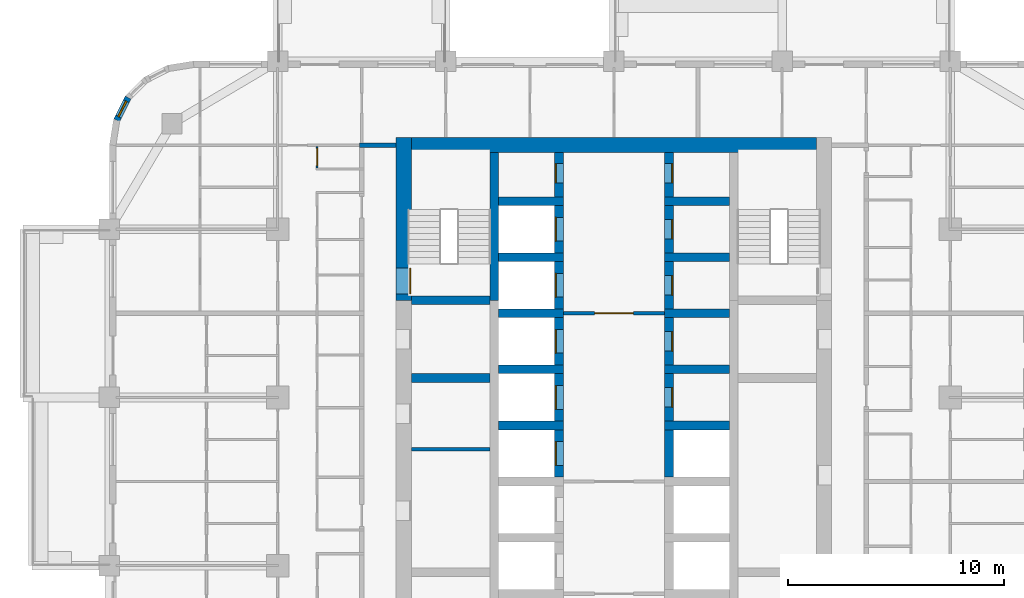
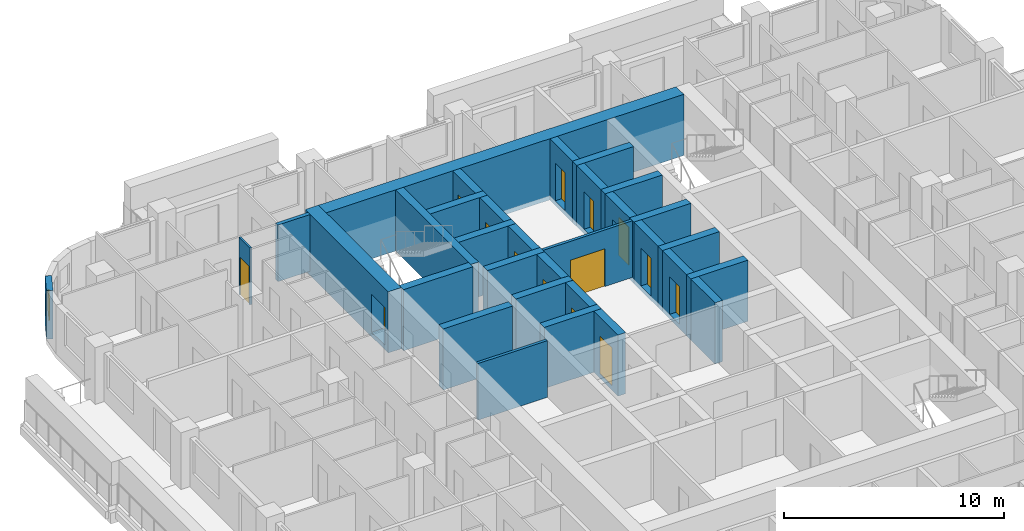
# One storey, part 11 of 18: 32 walls, 14 doors, 1 window, 15 openings.
"""IFC4 building model written with IfcOpenShell, lengths in metres."""

from ifc_helpers import new_model, si_unit, direction, frame, frame_2d, origin, place, context, subcontext, project, spatial, rectangle, extrude, material, layer, layer_set, type_object, element, fill, save


model = new_model("IFC4")

# Units and contexts
model_context = context("Model", 3, precision=1e-05, world=origin(), true_north=direction((0.0, 1.0)))
body_context = subcontext(model_context, "Body", "Model", "MODEL_VIEW")
ifc_project = project(units=[si_unit("LENGTHUNIT", "METRE"), si_unit("AREAUNIT", "SQUARE_METRE"), si_unit("VOLUMEUNIT", "CUBIC_METRE"), si_unit("PLANEANGLEUNIT", "RADIAN"), si_unit("MASSUNIT", "GRAM", prefix="KILO")], contexts=[model_context])

# Site, building, storey
site_placement = place(None, origin())
site = spatial("IfcSite", under=ifc_project, at=site_placement, CompositionType="ELEMENT")
building_placement = place(site_placement, origin())
building = spatial("IfcBuilding", under=site, at=building_placement, Name="Ludao Terraces", CompositionType="ELEMENT")
storey_placement = place(building_placement, frame((0.0, 0.0, 75.0)))
storey = spatial("IfcBuildingStorey", under=building, at=storey_placement, Name="L20", CompositionType="ELEMENT", Elevation=75.0)

# Wall, opening, door
ifc_material_1 = material(Name="Concrete C70", Category="concrete")
ifc_layer_1 = layer(ifc_material_1, 0.699951171875)
ifc_layer_set_1 = layer_set([ifc_layer_1], Name="Core wall 700 C70")
wall_type_1 = type_object("IfcWallType", Name="Core wall 700 C70", PredefinedType="SOLIDWALL", material=ifc_layer_set_1)
wall_1_placement = place(storey_placement, frame((75.25, 77.300048828125, -0.25), z_axis=(0.0, 0.0, 1.0), x_axis=(0.0, 1.0, 0.0)))
wall_1 = element("IfcWall", 1, at=wall_1_placement, inside=storey, type_object=wall_type_1, Name="Core wall L20 outer-W-S1", PredefinedType="SOLIDWALL", context=body_context, shape_type="SweptSolid", body=[
    extrude(rectangle(XDim=7.550048828125, YDim=0.699951171875, at=frame_2d((3.77490234375, 0.0))), origin(), (0.0, 0.0, 1.0), 3.39990234375),
])
opening_1_placement = place(wall_1_placement, frame((0.300048828125, 0.0, 0.25)))
opening_1 = element("IfcOpeningElement", 2, at=opening_1_placement, cuts=wall_1, Name="Opening R06-131", PredefinedType="OPENING", context=body_context, shape_type="SweptSolid", body=[
    extrude(rectangle(XDim=1.199951171875, YDim=2.10009765625, at=frame_2d((0.60009765625, 1.050048828125))), frame((0.0, 0.35986328125, 0.0), z_axis=(0.0, -1.0, 0.0), x_axis=(1.0, 0.0, 0.0)), (0.0, 0.0, 1.0), 0.719970703125),
])
ifc_material_2 = material(Name="Steel Q235", Category="steel")
door_type_1 = type_object("IfcDoorType", Name="INT Stair door 1200", OperationType="DOUBLE_DOOR_SINGLE_SWING", PredefinedType="DOOR", material=ifc_material_2)
door_1_placement = place(opening_1_placement, origin())
door_1 = element("IfcDoor", 3, at=door_1_placement, inside=storey, type_object=door_type_1, Name="DOOR 131", OperationType="DOUBLE_DOOR_SINGLE_SWING", OverallHeight=2.10009765625, OverallWidth=1.199951171875, PredefinedType="DOOR", context=body_context, shape_type="SweptSolid", body=[
    extrude(rectangle(XDim=1.199951171875, YDim=2.10009765625, at=frame_2d((0.60009765625, 1.050048828125))), frame((0.0, -0.28515625, 0.0), z_axis=(0.0, -1.0, 0.0), x_axis=(1.0, 0.0, 0.0)), (0.0, 0.0, 1.0), 0.050048828125),
])
fill(opening_1, door_1)

# Wall
wall_2_placement = place(storey_placement, frame((75.60009765625, 84.5, -0.25), z_axis=(0.0, 0.0, 1.0), x_axis=(1.0, 0.0, 0.0)))
element("IfcWall", 4, at=wall_2_placement, inside=storey, type_object=wall_type_1, Name="Core wall L20 outer-N", PredefinedType="SOLIDWALL", context=body_context, shape_type="SweptSolid", body=[
    extrude(rectangle(XDim=18.7998046875, YDim=0.699951171875, at=frame_2d((9.39990234375, 0.0))), origin(), (0.0, 0.0, 1.0), 3.39990234375),
])

# Wall, opening, window
ifc_material_3 = material(Name="Granite cladding", Category="masonry")
ifc_layer_2 = layer(ifc_material_3, 0.0400390625, Category="stone")
ifc_material_4 = material(Name="Mineral wool")
ifc_layer_3 = layer(ifc_material_4, 0.06005859375)
ifc_material_5 = material(Name="Concrete C40", Category="concrete")
ifc_layer_4 = layer(ifc_material_5, 0.199951171875, Category="concrete")
ifc_layer_set_2 = layer_set([ifc_layer_2, ifc_layer_3, ifc_layer_4], Name="ENV Stone-clad wall 300")
wall_type_2 = type_object("IfcWallType", Name="ENV Stone-clad wall 300", PredefinedType="SOLIDWALL", material=ifc_layer_set_2)
wall_3_placement = place(storey_placement, frame((62.46630859375, 86.7041015625, 0.0), z_axis=(0.0, 0.0, 1.0), x_axis=(-0.454025524128, -0.890988677504, 0.0)))
wall_3 = element("IfcWall", 5, at=wall_3_placement, inside=storey, type_object=wall_type_2, Name="EW-L20-NW4", PredefinedType="SOLIDWALL", context=body_context, shape_type="SweptSolid", body=[
    extrude(rectangle(XDim=1.17333984375, YDim=0.300048828125, at=frame_2d((0.586669921875, 0.0))), origin(), (0.0, 0.0, 1.0), 2.699951171875),
])
opening_2_placement = place(wall_3_placement, frame((0.1865234375, 0.0, 0.89990234375)))
opening_2 = element("IfcOpeningElement", 6, at=opening_2_placement, cuts=wall_3, Name="Opening W3", PredefinedType="OPENING", context=body_context, shape_type="SweptSolid", body=[
    extrude(rectangle(XDim=0.800048828125, YDim=1.199951171875, at=frame_2d((0.39990234375, 0.60009765625))), frame((0.0, 0.16015625, 0.0), z_axis=(0.0, -1.0, 0.0), x_axis=(1.0, 0.0, 0.0)), (0.0, 0.0, 1.0), 0.320068359375),
])
ifc_material_6 = material(Name="Clear glass in aluminium frame", Category="aluminium")
ifc_layer_5 = layer(ifc_material_6, 0.06005859375)
ifc_layer_set_3 = layer_set([ifc_layer_5], Name="ENV Window W3 800x1200")
window_type = type_object("IfcWindowType", Name="ENV Window W3 800x1200", PartitioningType="SINGLE_PANEL", PredefinedType="WINDOW", material=ifc_layer_set_3)
window_placement = place(opening_2_placement, origin())
window = element("IfcWindow", 7, at=window_placement, inside=storey, type_object=window_type, Name="W-L20-NW4", OverallHeight=1.199951171875, OverallWidth=0.800048828125, PartitioningType="SINGLE_PANEL", PredefinedType="WINDOW", context=body_context, shape_type="SweptSolid", body=[
    extrude(rectangle(XDim=0.800048828125, YDim=1.199951171875, at=frame_2d((0.39990234375, 0.60009765625))), frame((0.0, 0.030029296875, 0.0), z_axis=(0.0, -1.0, 0.0), x_axis=(1.0, 0.0, 0.0)), (0.0, 0.0, 1.0), 0.06005859375),
])
fill(opening_2, window)

# Wall
ifc_material_7 = material(Name="Fire-rated gypsum plasterboard", Category="gypsum")
ifc_layer_6 = layer(ifc_material_7, 0.012451171875, Category="gypsum")
ifc_layer_7 = layer(ifc_material_4, 0.10009765625, Name="insulation")
ifc_layer_8 = layer(ifc_material_2, 0.02490234375, Name="stud")
ifc_layer_9 = layer(ifc_material_7, 0.012451171875, Category="gypsum")
ifc_layer_set_4 = layer_set([ifc_layer_6, ifc_layer_7, ifc_layer_8, ifc_layer_9], Name="INT Core partition 150")
wall_type_3 = type_object("IfcWallType", Name="INT Core partition 150", PredefinedType="PARTITIONING", material=ifc_layer_set_4)
wall_4_placement = place(storey_placement, frame((75.60009765625, 70.39990234375, 0.0), z_axis=(0.0, 0.0, 1.0), x_axis=(1.0, 0.0, 0.0)))
element("IfcWall", 8, at=wall_4_placement, inside=storey, type_object=wall_type_3, Name="PW-L20-PW051", PredefinedType="PARTITIONING", context=body_context, shape_type="SweptSolid", body=[
    extrude(rectangle(XDim=3.64990234375, YDim=0.14990234375, at=frame_2d((1.824951171875, 0.0))), origin(), (0.0, 0.0, 1.0), 3.14990234375),
])

# Wall, opening, door
wall_5_placement = place(storey_placement, frame((82.650146484375, 76.699951171875, 0.0), z_axis=(0.0, 0.0, 1.0), x_axis=(1.0, 0.0, 0.0)))
wall_5 = element("IfcWall", 9, at=wall_5_placement, inside=storey, type_object=wall_type_3, Name="PW-L20-PW063", PredefinedType="PARTITIONING", context=body_context, shape_type="SweptSolid", body=[
    extrude(rectangle(XDim=4.699951171875, YDim=0.14990234375, at=frame_2d((2.35009765625, 0.0))), origin(), (0.0, 0.0, 1.0), 3.14990234375),
])
opening_3_placement = place(wall_5_placement, frame((1.449951171875, 0.0, 0.0)))
opening_3 = element("IfcOpeningElement", 10, at=opening_3_placement, cuts=wall_5, Name="Opening R06-126", PredefinedType="OPENING", context=body_context, shape_type="SweptSolid", body=[
    extrude(rectangle(XDim=1.800048828125, YDim=2.10009765625, at=frame_2d((0.89990234375, 1.050048828125))), frame((0.0, 0.0849609375, 0.0), z_axis=(0.0, -1.0, 0.0), x_axis=(1.0, 0.0, 0.0)), (0.0, 0.0, 1.0), 0.169921875),
])
door_type_2 = type_object("IfcDoorType", Name="INT Fire lobby door 1800", OperationType="DOUBLE_DOOR_SINGLE_SWING", PredefinedType="DOOR", material=ifc_material_2)
door_2_placement = place(opening_3_placement, origin())
door_2 = element("IfcDoor", 11, at=door_2_placement, inside=storey, type_object=door_type_2, Name="DOOR 126", OperationType="DOUBLE_DOOR_SINGLE_SWING", OverallHeight=2.10009765625, OverallWidth=1.800048828125, PredefinedType="DOOR", context=body_context, shape_type="SweptSolid", body=[
    extrude(rectangle(XDim=1.800048828125, YDim=2.10009765625, at=frame_2d((0.89990234375, 1.050048828125))), frame((0.0, 0.02490234375, 0.0), z_axis=(0.0, -1.0, 0.0), x_axis=(1.0, 0.0, 0.0)), (0.0, 0.0, 1.0), 0.050048828125),
])
fill(opening_3, door_2)

# Wall
ifc_material_8 = material(Name="Autoclaved aerated concrete block B06 A3.5", Category="concrete")
ifc_layer_10 = layer(ifc_material_8, 0.199951171875)
ifc_layer_set_5 = layer_set([ifc_layer_10], Name="INT Entrance wall 200")
wall_type_4 = type_object("IfcWallType", Name="INT Entrance wall 200", PredefinedType="PARTITIONING", material=ifc_layer_set_5)
wall_6_placement = place(storey_placement, frame((73.2001953125, 84.5, 0.0), z_axis=(0.0, 0.0, 1.0), x_axis=(1.0, 0.0, 0.0)))
element("IfcWall", 12, at=wall_6_placement, inside=storey, type_object=wall_type_4, Name="PW-L20-PW078", PredefinedType="PARTITIONING", context=body_context, shape_type="SweptSolid", body=[
    extrude(rectangle(XDim=1.699951171875, YDim=0.199951171875, at=frame_2d((0.85009765625, 0.0))), origin(), (0.0, 0.0, 1.0), 3.14990234375),
])

# Wall, opening, door
ifc_material_9 = material(Name="Gypsum plasterboard", Category="gypsum")
ifc_layer_11 = layer(ifc_material_9, 0.012451171875, Category="gypsum")
ifc_layer_12 = layer(ifc_material_4, 0.06005859375, Name="insulation")
ifc_layer_13 = layer(ifc_material_2, 0.014892578125, Name="stud")
ifc_layer_14 = layer(ifc_material_9, 0.012451171875, Category="gypsum")
ifc_layer_set_6 = layer_set([ifc_layer_11, ifc_layer_12, ifc_layer_13, ifc_layer_14], Name="INT Partition 100")
wall_type_5 = type_object("IfcWallType", Name="INT Partition 100", PredefinedType="PARTITIONING", material=ifc_layer_set_6)
wall_7_placement = place(storey_placement, frame((71.22998046875, 83.4501953125, 0.0), z_axis=(0.0, 0.0, 1.0), x_axis=(0.0, 1.0, 0.0)))
wall_7 = element("IfcWall", 13, at=wall_7_placement, inside=storey, type_object=wall_type_5, Name="PW-L20-PW087", PredefinedType="PARTITIONING", context=body_context, shape_type="SweptSolid", body=[
    extrude(rectangle(XDim=1.0, YDim=0.10009765625, at=frame_2d((0.5, 0.0))), origin(), (0.0, 0.0, 1.0), 3.14990234375),
])
opening_4_placement = place(wall_7_placement, frame((0.10009765625, 0.0, 0.0)))
opening_4 = element("IfcOpeningElement", 14, at=opening_4_placement, cuts=wall_7, Name="Opening R06-154", PredefinedType="OPENING", context=body_context, shape_type="SweptSolid", body=[
    extrude(rectangle(XDim=0.800048828125, YDim=2.10009765625, at=frame_2d((0.39990234375, 1.050048828125))), frame((0.0, 0.06005859375, 0.0), z_axis=(0.0, -1.0, 0.0), x_axis=(1.0, 0.0, 0.0)), (0.0, 0.0, 1.0), 0.1201171875),
])
ifc_material_10 = material(Name="Timber door leaf", Category="wood")
door_type_3 = type_object("IfcDoorType", Name="INT Store door 800", OperationType="SINGLE_SWING_LEFT", PredefinedType="DOOR", material=ifc_material_10)
door_3_placement = place(opening_4_placement, origin())
door_3 = element("IfcDoor", 15, at=door_3_placement, inside=storey, type_object=door_type_3, Name="DOOR 154", OperationType="SINGLE_SWING_RIGHT", OverallHeight=2.10009765625, OverallWidth=0.800048828125, PredefinedType="DOOR", context=body_context, shape_type="SweptSolid", body=[
    extrude(rectangle(XDim=0.800048828125, YDim=2.10009765625, at=frame_2d((0.39990234375, 1.050048828125))), frame((0.0, 0.02490234375, 0.0), z_axis=(0.0, -1.0, 0.0), x_axis=(1.0, 0.0, 0.0)), (0.0, 0.0, 1.0), 0.050048828125),
])
fill(opening_4, door_3)

# Wall
ifc_material_11 = material(Name="Concrete C60", Category="concrete")
ifc_layer_15 = layer(ifc_material_11, 0.39990234375)
ifc_layer_set_7 = layer_set([ifc_layer_15], Name="Shaft wall 400 C60")
wall_type_6 = type_object("IfcWallType", Name="Shaft wall 400 C60", PredefinedType="SOLIDWALL", material=ifc_layer_set_7)
wall_8_placement = place(storey_placement, frame((79.449951171875, 77.300048828125, -0.25), z_axis=(0.0, 0.0, 1.0), x_axis=(0.0, 1.0, 0.0)))
element("IfcWall", 16, at=wall_8_placement, inside=storey, type_object=wall_type_6, Name="Core wall L20 back-W-S1", PredefinedType="SOLIDWALL", context=body_context, shape_type="SweptSolid", body=[
    extrude(rectangle(XDim=6.849853515625, YDim=0.39990234375, at=frame_2d((3.4248046875, 0.0))), origin(), (0.0, 0.0, 1.0), 3.39990234375),
])

# Wall, opening, door
wall_9_placement = place(storey_placement, frame((82.449951171875, 69.10009765625, -0.25), z_axis=(0.0, 0.0, 1.0), x_axis=(0.0, 1.0, 0.0)))
wall_9 = element("IfcWall", 17, at=wall_9_placement, inside=storey, type_object=wall_type_6, Name="Core wall L20 front-W4", PredefinedType="SOLIDWALL", context=body_context, shape_type="SweptSolid", body=[
    extrude(rectangle(XDim=2.199951171875, YDim=0.39990234375, at=frame_2d((1.10009765625, 0.0))), origin(), (0.0, 0.0, 1.0), 3.39990234375),
])
opening_5_placement = place(wall_9_placement, frame((0.550048828125, 0.0, 0.25)))
opening_5 = element("IfcOpeningElement", 18, at=opening_5_placement, cuts=wall_9, Name="Opening LD-LA4", PredefinedType="OPENING", context=body_context, shape_type="SweptSolid", body=[
    extrude(rectangle(XDim=1.10009765625, YDim=2.10009765625, at=frame_2d((0.550048828125, 1.050048828125))), frame((0.0, 0.2099609375, 0.0), z_axis=(0.0, -1.0, 0.0), x_axis=(1.0, 0.0, 0.0)), (0.0, 0.0, 1.0), 0.419921875),
])
ifc_material_12 = material(Name="Stainless steel 304", Category="steel")
door_type_4 = type_object("IfcDoorType", Name="INT Lift landing door 1100", OperationType="SLIDING_TO_LEFT", PredefinedType="DOOR", material=ifc_material_12)
door_4_placement = place(opening_5_placement, origin())
door_4 = element("IfcDoor", 19, at=door_4_placement, inside=storey, type_object=door_type_4, Name="LANDING DOOR LA4 L20", OperationType="SLIDING_TO_LEFT", OverallHeight=2.10009765625, OverallWidth=1.10009765625, PredefinedType="DOOR", context=body_context, shape_type="SweptSolid", body=[
    extrude(rectangle(XDim=1.10009765625, YDim=2.10009765625, at=frame_2d((0.550048828125, 1.050048828125))), frame((0.0, 0.18505859375, 0.0), z_axis=(0.0, -1.0, 0.0), x_axis=(1.0, 0.0, 0.0)), (0.0, 0.0, 1.0), 0.050048828125),
])
fill(opening_5, door_4)

# Wall
wall_10_placement = place(storey_placement, frame((79.64990234375, 71.5, -0.25), z_axis=(0.0, 0.0, 1.0), x_axis=(1.0, 0.0, 0.0)))
element("IfcWall", 20, at=wall_10_placement, inside=storey, type_object=wall_type_6, Name="Core wall L20 div-W5", PredefinedType="SOLIDWALL", context=body_context, shape_type="SweptSolid", body=[
    extrude(rectangle(XDim=3.0, YDim=0.39990234375, at=frame_2d((1.5, 0.0))), origin(), (0.0, 0.0, 1.0), 3.39990234375),
])

# Wall, opening, door
wall_11_placement = place(storey_placement, frame((82.449951171875, 71.699951171875, -0.25), z_axis=(0.0, 0.0, 1.0), x_axis=(0.0, 1.0, 0.0)))
wall_11 = element("IfcWall", 21, at=wall_11_placement, inside=storey, type_object=wall_type_6, Name="Core wall L20 front-W5", PredefinedType="SOLIDWALL", context=body_context, shape_type="SweptSolid", body=[
    extrude(rectangle(XDim=2.199951171875, YDim=0.39990234375, at=frame_2d((1.10009765625, 0.0))), origin(), (0.0, 0.0, 1.0), 3.39990234375),
])
opening_6_placement = place(wall_11_placement, frame((0.550048828125, 0.0, 0.25)))
opening_6 = element("IfcOpeningElement", 22, at=opening_6_placement, cuts=wall_11, Name="Opening LD-LA5", PredefinedType="OPENING", context=body_context, shape_type="SweptSolid", body=[
    extrude(rectangle(XDim=1.10009765625, YDim=2.10009765625, at=frame_2d((0.550048828125, 1.050048828125))), frame((0.0, 0.2099609375, 0.0), z_axis=(0.0, -1.0, 0.0), x_axis=(1.0, 0.0, 0.0)), (0.0, 0.0, 1.0), 0.419921875),
])
door_5_placement = place(opening_6_placement, origin())
door_5 = element("IfcDoor", 23, at=door_5_placement, inside=storey, type_object=door_type_4, Name="LANDING DOOR LA5 L20", OperationType="SLIDING_TO_LEFT", OverallHeight=2.10009765625, OverallWidth=1.10009765625, PredefinedType="DOOR", context=body_context, shape_type="SweptSolid", body=[
    extrude(rectangle(XDim=1.10009765625, YDim=2.10009765625, at=frame_2d((0.550048828125, 1.050048828125))), frame((0.0, 0.18505859375, 0.0), z_axis=(0.0, -1.0, 0.0), x_axis=(1.0, 0.0, 0.0)), (0.0, 0.0, 1.0), 0.050048828125),
])
fill(opening_6, door_5)

# Wall
wall_12_placement = place(storey_placement, frame((79.64990234375, 74.10009765625, -0.25), z_axis=(0.0, 0.0, 1.0), x_axis=(1.0, 0.0, 0.0)))
element("IfcWall", 24, at=wall_12_placement, inside=storey, type_object=wall_type_6, Name="Core wall L20 div-W6", PredefinedType="SOLIDWALL", context=body_context, shape_type="SweptSolid", body=[
    extrude(rectangle(XDim=3.0, YDim=0.39990234375, at=frame_2d((1.5, 0.0))), origin(), (0.0, 0.0, 1.0), 3.39990234375),
])

# Wall, opening, door
wall_13_placement = place(storey_placement, frame((82.449951171875, 74.300048828125, -0.25), z_axis=(0.0, 0.0, 1.0), x_axis=(0.0, 1.0, 0.0)))
wall_13 = element("IfcWall", 25, at=wall_13_placement, inside=storey, type_object=wall_type_6, Name="Core wall L20 front-W6", PredefinedType="SOLIDWALL", context=body_context, shape_type="SweptSolid", body=[
    extrude(rectangle(XDim=2.199951171875, YDim=0.39990234375, at=frame_2d((1.10009765625, 0.0))), origin(), (0.0, 0.0, 1.0), 3.39990234375),
])
opening_7_placement = place(wall_13_placement, frame((0.550048828125, 0.0, 0.25)))
opening_7 = element("IfcOpeningElement", 26, at=opening_7_placement, cuts=wall_13, Name="Opening LD-LA6", PredefinedType="OPENING", context=body_context, shape_type="SweptSolid", body=[
    extrude(rectangle(XDim=1.10009765625, YDim=2.10009765625, at=frame_2d((0.550048828125, 1.050048828125))), frame((0.0, 0.2099609375, 0.0), z_axis=(0.0, -1.0, 0.0), x_axis=(1.0, 0.0, 0.0)), (0.0, 0.0, 1.0), 0.419921875),
])
door_6_placement = place(opening_7_placement, origin())
door_6 = element("IfcDoor", 27, at=door_6_placement, inside=storey, type_object=door_type_4, Name="LANDING DOOR LA6 L20", OperationType="SLIDING_TO_LEFT", OverallHeight=2.10009765625, OverallWidth=1.10009765625, PredefinedType="DOOR", context=body_context, shape_type="SweptSolid", body=[
    extrude(rectangle(XDim=1.10009765625, YDim=2.10009765625, at=frame_2d((0.550048828125, 1.050048828125))), frame((0.0, 0.18505859375, 0.0), z_axis=(0.0, -1.0, 0.0), x_axis=(1.0, 0.0, 0.0)), (0.0, 0.0, 1.0), 0.050048828125),
])
fill(opening_7, door_6)

# Wall
wall_14_placement = place(storey_placement, frame((79.64990234375, 76.699951171875, -0.25), z_axis=(0.0, 0.0, 1.0), x_axis=(1.0, 0.0, 0.0)))
element("IfcWall", 28, at=wall_14_placement, inside=storey, type_object=wall_type_6, Name="Core wall L20 div-W7", PredefinedType="SOLIDWALL", context=body_context, shape_type="SweptSolid", body=[
    extrude(rectangle(XDim=3.0, YDim=0.39990234375, at=frame_2d((1.5, 0.0))), origin(), (0.0, 0.0, 1.0), 3.39990234375),
])

# Wall, opening, door
wall_15_placement = place(storey_placement, frame((82.449951171875, 76.89990234375, -0.25), z_axis=(0.0, 0.0, 1.0), x_axis=(0.0, 1.0, 0.0)))
wall_15 = element("IfcWall", 29, at=wall_15_placement, inside=storey, type_object=wall_type_6, Name="Core wall L20 front-W7", PredefinedType="SOLIDWALL", context=body_context, shape_type="SweptSolid", body=[
    extrude(rectangle(XDim=2.2001953125, YDim=0.39990234375, at=frame_2d((1.10009765625, 0.0))), origin(), (0.0, 0.0, 1.0), 3.39990234375),
])
opening_8_placement = place(wall_15_placement, frame((0.550048828125, 0.0, 0.25)))
opening_8 = element("IfcOpeningElement", 30, at=opening_8_placement, cuts=wall_15, Name="Opening LD-FF1", PredefinedType="OPENING", context=body_context, shape_type="SweptSolid", body=[
    extrude(rectangle(XDim=1.10009765625, YDim=2.10009765625, at=frame_2d((0.550048828125, 1.050048828125))), frame((0.0, 0.2099609375, 0.0), z_axis=(0.0, -1.0, 0.0), x_axis=(1.0, 0.0, 0.0)), (0.0, 0.0, 1.0), 0.419921875),
])
door_7_placement = place(opening_8_placement, origin())
door_7 = element("IfcDoor", 31, at=door_7_placement, inside=storey, type_object=door_type_4, Name="LANDING DOOR FF1 L20", OperationType="SLIDING_TO_LEFT", OverallHeight=2.10009765625, OverallWidth=1.10009765625, PredefinedType="DOOR", context=body_context, shape_type="SweptSolid", body=[
    extrude(rectangle(XDim=1.10009765625, YDim=2.10009765625, at=frame_2d((0.550048828125, 1.050048828125))), frame((0.0, 0.18505859375, 0.0), z_axis=(0.0, -1.0, 0.0), x_axis=(1.0, 0.0, 0.0)), (0.0, 0.0, 1.0), 0.050048828125),
])
fill(opening_8, door_7)

# Wall
wall_16_placement = place(storey_placement, frame((79.64990234375, 79.300048828125, -0.25), z_axis=(0.0, 0.0, 1.0), x_axis=(1.0, 0.0, 0.0)))
element("IfcWall", 32, at=wall_16_placement, inside=storey, type_object=wall_type_6, Name="Core wall L20 div-W8", PredefinedType="SOLIDWALL", context=body_context, shape_type="SweptSolid", body=[
    extrude(rectangle(XDim=3.0, YDim=0.39990234375, at=frame_2d((1.5, 0.0))), origin(), (0.0, 0.0, 1.0), 3.39990234375),
])

# Wall, opening, door
wall_17_placement = place(storey_placement, frame((82.449951171875, 79.5, -0.25), z_axis=(0.0, 0.0, 1.0), x_axis=(0.0, 1.0, 0.0)))
wall_17 = element("IfcWall", 33, at=wall_17_placement, inside=storey, type_object=wall_type_6, Name="Core wall L20 front-W8", PredefinedType="SOLIDWALL", context=body_context, shape_type="SweptSolid", body=[
    extrude(rectangle(XDim=2.199951171875, YDim=0.39990234375, at=frame_2d((1.10009765625, 0.0))), origin(), (0.0, 0.0, 1.0), 3.39990234375),
])
opening_9_placement = place(wall_17_placement, frame((0.550048828125, 0.0, 0.25)))
opening_9 = element("IfcOpeningElement", 34, at=opening_9_placement, cuts=wall_17, Name="Opening LD-FF2", PredefinedType="OPENING", context=body_context, shape_type="SweptSolid", body=[
    extrude(rectangle(XDim=1.10009765625, YDim=2.10009765625, at=frame_2d((0.550048828125, 1.050048828125))), frame((0.0, 0.2099609375, 0.0), z_axis=(0.0, -1.0, 0.0), x_axis=(1.0, 0.0, 0.0)), (0.0, 0.0, 1.0), 0.419921875),
])
door_8_placement = place(opening_9_placement, origin())
door_8 = element("IfcDoor", 35, at=door_8_placement, inside=storey, type_object=door_type_4, Name="LANDING DOOR FF2 L20", OperationType="SLIDING_TO_LEFT", OverallHeight=2.10009765625, OverallWidth=1.10009765625, PredefinedType="DOOR", context=body_context, shape_type="SweptSolid", body=[
    extrude(rectangle(XDim=1.10009765625, YDim=2.10009765625, at=frame_2d((0.550048828125, 1.050048828125))), frame((0.0, 0.18505859375, 0.0), z_axis=(0.0, -1.0, 0.0), x_axis=(1.0, 0.0, 0.0)), (0.0, 0.0, 1.0), 0.050048828125),
])
fill(opening_9, door_8)

# Wall
wall_18_placement = place(storey_placement, frame((79.64990234375, 81.89990234375, -0.25), z_axis=(0.0, 0.0, 1.0), x_axis=(1.0, 0.0, 0.0)))
element("IfcWall", 36, at=wall_18_placement, inside=storey, type_object=wall_type_6, Name="Core wall L20 div-W9", PredefinedType="SOLIDWALL", context=body_context, shape_type="SweptSolid", body=[
    extrude(rectangle(XDim=3.0, YDim=0.39990234375, at=frame_2d((1.5, 0.0))), origin(), (0.0, 0.0, 1.0), 3.39990234375),
])

# Wall, opening, door
wall_19_placement = place(storey_placement, frame((82.449951171875, 82.10009765625, -0.25), z_axis=(0.0, 0.0, 1.0), x_axis=(0.0, 1.0, 0.0)))
wall_19 = element("IfcWall", 37, at=wall_19_placement, inside=storey, type_object=wall_type_6, Name="Core wall L20 front-W9", PredefinedType="SOLIDWALL", context=body_context, shape_type="SweptSolid", body=[
    extrude(rectangle(XDim=2.0498046875, YDim=0.39990234375, at=frame_2d((1.02490234375, 0.0))), origin(), (0.0, 0.0, 1.0), 3.39990234375),
])
opening_10_placement = place(wall_19_placement, frame((0.64990234375, 0.0, 0.25)))
opening_10 = element("IfcOpeningElement", 38, at=opening_10_placement, cuts=wall_19, Name="Opening R06-146", PredefinedType="OPENING", context=body_context, shape_type="SweptSolid", body=[
    extrude(rectangle(XDim=0.89990234375, YDim=2.10009765625, at=frame_2d((0.449951171875, 1.050048828125))), frame((0.0, 0.2099609375, 0.0), z_axis=(0.0, -1.0, 0.0), x_axis=(1.0, 0.0, 0.0)), (0.0, 0.0, 1.0), 0.419921875),
])
door_type_5 = type_object("IfcDoorType", Name="INT Room door 900", OperationType="SINGLE_SWING_LEFT", PredefinedType="DOOR", material=ifc_material_10)
door_9_placement = place(opening_10_placement, origin())
door_9 = element("IfcDoor", 39, at=door_9_placement, inside=storey, type_object=door_type_5, Name="DOOR 146", OperationType="SINGLE_SWING_RIGHT", OverallHeight=2.10009765625, OverallWidth=0.89990234375, PredefinedType="DOOR", context=body_context, shape_type="SweptSolid", body=[
    extrude(rectangle(XDim=0.89990234375, YDim=2.10009765625, at=frame_2d((0.449951171875, 1.050048828125))), frame((0.0, 0.18505859375, 0.0), z_axis=(0.0, -1.0, 0.0), x_axis=(1.0, 0.0, 0.0)), (0.0, 0.0, 1.0), 0.050048828125),
])
fill(opening_10, door_9)

# Walls
wall_20_placement = place(storey_placement, frame((87.550048828125, 69.10009765625, -0.25), z_axis=(0.0, 0.0, 1.0), x_axis=(0.0, 1.0, 0.0)))
element("IfcWall", 40, at=wall_20_placement, inside=storey, type_object=wall_type_6, Name="Core wall L20 front-E4", PredefinedType="SOLIDWALL", context=body_context, shape_type="SweptSolid", body=[
    extrude(rectangle(XDim=2.199951171875, YDim=0.39990234375, at=frame_2d((1.10009765625, 0.0))), origin(), (0.0, 0.0, 1.0), 3.39990234375),
])
wall_21_placement = place(storey_placement, frame((87.35009765625, 71.5, -0.25), z_axis=(0.0, 0.0, 1.0), x_axis=(1.0, 0.0, 0.0)))
element("IfcWall", 41, at=wall_21_placement, inside=storey, type_object=wall_type_6, Name="Core wall L20 div-E5", PredefinedType="SOLIDWALL", context=body_context, shape_type="SweptSolid", body=[
    extrude(rectangle(XDim=3.0, YDim=0.39990234375, at=frame_2d((1.5, 0.0))), origin(), (0.0, 0.0, 1.0), 3.39990234375),
])

# Wall, opening, door
wall_22_placement = place(storey_placement, frame((87.550048828125, 71.699951171875, -0.25), z_axis=(0.0, 0.0, 1.0), x_axis=(0.0, 1.0, 0.0)))
wall_22 = element("IfcWall", 42, at=wall_22_placement, inside=storey, type_object=wall_type_6, Name="Core wall L20 front-E5", PredefinedType="SOLIDWALL", context=body_context, shape_type="SweptSolid", body=[
    extrude(rectangle(XDim=2.199951171875, YDim=0.39990234375, at=frame_2d((1.10009765625, 0.0))), origin(), (0.0, 0.0, 1.0), 3.39990234375),
])
opening_11_placement = place(wall_22_placement, frame((0.64990234375, 0.0, 0.25)))
opening_11 = element("IfcOpeningElement", 43, at=opening_11_placement, cuts=wall_22, Name="Opening R06-111", PredefinedType="OPENING", context=body_context, shape_type="SweptSolid", body=[
    extrude(rectangle(XDim=0.89990234375, YDim=2.10009765625, at=frame_2d((0.449951171875, 1.050048828125))), frame((0.0, 0.2099609375, 0.0), z_axis=(0.0, -1.0, 0.0), x_axis=(1.0, 0.0, 0.0)), (0.0, 0.0, 1.0), 0.419921875),
])
door_10_placement = place(opening_11_placement, origin())
door_10 = element("IfcDoor", 44, at=door_10_placement, inside=storey, type_object=door_type_5, Name="DOOR 111", OperationType="SINGLE_SWING_RIGHT", OverallHeight=2.10009765625, OverallWidth=0.89990234375, PredefinedType="DOOR", context=body_context, shape_type="SweptSolid", body=[
    extrude(rectangle(XDim=0.89990234375, YDim=2.10009765625, at=frame_2d((0.449951171875, 1.050048828125))), frame((0.0, -0.134765625, 0.0), z_axis=(0.0, -1.0, 0.0), x_axis=(1.0, 0.0, 0.0)), (0.0, 0.0, 1.0), 0.050048828125),
])
fill(opening_11, door_10)

# Wall
wall_23_placement = place(storey_placement, frame((87.35009765625, 74.10009765625, -0.25), z_axis=(0.0, 0.0, 1.0), x_axis=(1.0, 0.0, 0.0)))
element("IfcWall", 45, at=wall_23_placement, inside=storey, type_object=wall_type_6, Name="Core wall L20 div-E6", PredefinedType="SOLIDWALL", context=body_context, shape_type="SweptSolid", body=[
    extrude(rectangle(XDim=3.0, YDim=0.39990234375, at=frame_2d((1.5, 0.0))), origin(), (0.0, 0.0, 1.0), 3.39990234375),
])

# Wall, opening, door
wall_24_placement = place(storey_placement, frame((87.550048828125, 74.300048828125, -0.25), z_axis=(0.0, 0.0, 1.0), x_axis=(0.0, 1.0, 0.0)))
wall_24 = element("IfcWall", 46, at=wall_24_placement, inside=storey, type_object=wall_type_6, Name="Core wall L20 front-E6", PredefinedType="SOLIDWALL", context=body_context, shape_type="SweptSolid", body=[
    extrude(rectangle(XDim=2.199951171875, YDim=0.39990234375, at=frame_2d((1.10009765625, 0.0))), origin(), (0.0, 0.0, 1.0), 3.39990234375),
])
opening_12_placement = place(wall_24_placement, frame((0.64990234375, 0.0, 0.25)))
opening_12 = element("IfcOpeningElement", 47, at=opening_12_placement, cuts=wall_24, Name="Opening R06-119", PredefinedType="OPENING", context=body_context, shape_type="SweptSolid", body=[
    extrude(rectangle(XDim=0.89990234375, YDim=2.10009765625, at=frame_2d((0.449951171875, 1.050048828125))), frame((0.0, 0.2099609375, 0.0), z_axis=(0.0, -1.0, 0.0), x_axis=(1.0, 0.0, 0.0)), (0.0, 0.0, 1.0), 0.419921875),
])
door_11_placement = place(opening_12_placement, origin())
door_11 = element("IfcDoor", 48, at=door_11_placement, inside=storey, type_object=door_type_5, Name="DOOR 119", OperationType="SINGLE_SWING_LEFT", OverallHeight=2.10009765625, OverallWidth=0.89990234375, PredefinedType="DOOR", context=body_context, shape_type="SweptSolid", body=[
    extrude(rectangle(XDim=0.89990234375, YDim=2.10009765625, at=frame_2d((0.449951171875, 1.050048828125))), frame((0.0, -0.134765625, 0.0), z_axis=(0.0, -1.0, 0.0), x_axis=(1.0, 0.0, 0.0)), (0.0, 0.0, 1.0), 0.050048828125),
])
fill(opening_12, door_11)

# Wall
wall_25_placement = place(storey_placement, frame((87.35009765625, 76.699951171875, -0.25), z_axis=(0.0, 0.0, 1.0), x_axis=(1.0, 0.0, 0.0)))
element("IfcWall", 49, at=wall_25_placement, inside=storey, type_object=wall_type_6, Name="Core wall L20 div-E7", PredefinedType="SOLIDWALL", context=body_context, shape_type="SweptSolid", body=[
    extrude(rectangle(XDim=3.0, YDim=0.39990234375, at=frame_2d((1.5, 0.0))), origin(), (0.0, 0.0, 1.0), 3.39990234375),
])

# Wall, opening, door
wall_26_placement = place(storey_placement, frame((87.550048828125, 76.89990234375, -0.25), z_axis=(0.0, 0.0, 1.0), x_axis=(0.0, 1.0, 0.0)))
wall_26 = element("IfcWall", 50, at=wall_26_placement, inside=storey, type_object=wall_type_6, Name="Core wall L20 front-E7", PredefinedType="SOLIDWALL", context=body_context, shape_type="SweptSolid", body=[
    extrude(rectangle(XDim=2.2001953125, YDim=0.39990234375, at=frame_2d((1.10009765625, 0.0))), origin(), (0.0, 0.0, 1.0), 3.39990234375),
])
opening_13_placement = place(wall_26_placement, frame((0.64990234375, 0.0, 0.25)))
opening_13 = element("IfcOpeningElement", 51, at=opening_13_placement, cuts=wall_26, Name="Opening R06-130", PredefinedType="OPENING", context=body_context, shape_type="SweptSolid", body=[
    extrude(rectangle(XDim=0.89990234375, YDim=2.10009765625, at=frame_2d((0.449951171875, 1.050048828125))), frame((0.0, 0.2099609375, 0.0), z_axis=(0.0, -1.0, 0.0), x_axis=(1.0, 0.0, 0.0)), (0.0, 0.0, 1.0), 0.419921875),
])
door_12_placement = place(opening_13_placement, origin())
door_12 = element("IfcDoor", 52, at=door_12_placement, inside=storey, type_object=door_type_5, Name="DOOR 130", OperationType="SINGLE_SWING_RIGHT", OverallHeight=2.10009765625, OverallWidth=0.89990234375, PredefinedType="DOOR", context=body_context, shape_type="SweptSolid", body=[
    extrude(rectangle(XDim=0.89990234375, YDim=2.10009765625, at=frame_2d((0.449951171875, 1.050048828125))), frame((0.0, -0.134765625, 0.0), z_axis=(0.0, -1.0, 0.0), x_axis=(1.0, 0.0, 0.0)), (0.0, 0.0, 1.0), 0.050048828125),
])
fill(opening_13, door_12)

# Wall
wall_27_placement = place(storey_placement, frame((87.35009765625, 79.300048828125, -0.25), z_axis=(0.0, 0.0, 1.0), x_axis=(1.0, 0.0, 0.0)))
element("IfcWall", 53, at=wall_27_placement, inside=storey, type_object=wall_type_6, Name="Core wall L20 div-E8", PredefinedType="SOLIDWALL", context=body_context, shape_type="SweptSolid", body=[
    extrude(rectangle(XDim=3.0, YDim=0.39990234375, at=frame_2d((1.5, 0.0))), origin(), (0.0, 0.0, 1.0), 3.39990234375),
])

# Wall, opening, door
wall_28_placement = place(storey_placement, frame((87.550048828125, 79.5, -0.25), z_axis=(0.0, 0.0, 1.0), x_axis=(0.0, 1.0, 0.0)))
wall_28 = element("IfcWall", 54, at=wall_28_placement, inside=storey, type_object=wall_type_6, Name="Core wall L20 front-E8", PredefinedType="SOLIDWALL", context=body_context, shape_type="SweptSolid", body=[
    extrude(rectangle(XDim=2.199951171875, YDim=0.39990234375, at=frame_2d((1.10009765625, 0.0))), origin(), (0.0, 0.0, 1.0), 3.39990234375),
])
opening_14_placement = place(wall_28_placement, frame((0.64990234375, 0.0, 0.25)))
opening_14 = element("IfcOpeningElement", 55, at=opening_14_placement, cuts=wall_28, Name="Opening R06-140", PredefinedType="OPENING", context=body_context, shape_type="SweptSolid", body=[
    extrude(rectangle(XDim=0.89990234375, YDim=2.10009765625, at=frame_2d((0.449951171875, 1.050048828125))), frame((0.0, 0.2099609375, 0.0), z_axis=(0.0, -1.0, 0.0), x_axis=(1.0, 0.0, 0.0)), (0.0, 0.0, 1.0), 0.419921875),
])
door_13_placement = place(opening_14_placement, origin())
door_13 = element("IfcDoor", 56, at=door_13_placement, inside=storey, type_object=door_type_5, Name="DOOR 140", OperationType="SINGLE_SWING_RIGHT", OverallHeight=2.10009765625, OverallWidth=0.89990234375, PredefinedType="DOOR", context=body_context, shape_type="SweptSolid", body=[
    extrude(rectangle(XDim=0.89990234375, YDim=2.10009765625, at=frame_2d((0.449951171875, 1.050048828125))), frame((0.0, -0.134765625, 0.0), z_axis=(0.0, -1.0, 0.0), x_axis=(1.0, 0.0, 0.0)), (0.0, 0.0, 1.0), 0.050048828125),
])
fill(opening_14, door_13)

# Wall
wall_29_placement = place(storey_placement, frame((87.35009765625, 81.89990234375, -0.25), z_axis=(0.0, 0.0, 1.0), x_axis=(1.0, 0.0, 0.0)))
element("IfcWall", 57, at=wall_29_placement, inside=storey, type_object=wall_type_6, Name="Core wall L20 div-E9", PredefinedType="SOLIDWALL", context=body_context, shape_type="SweptSolid", body=[
    extrude(rectangle(XDim=3.0, YDim=0.39990234375, at=frame_2d((1.5, 0.0))), origin(), (0.0, 0.0, 1.0), 3.39990234375),
])

# Wall, opening, door
wall_30_placement = place(storey_placement, frame((87.550048828125, 82.10009765625, -0.25), z_axis=(0.0, 0.0, 1.0), x_axis=(0.0, 1.0, 0.0)))
wall_30 = element("IfcWall", 58, at=wall_30_placement, inside=storey, type_object=wall_type_6, Name="Core wall L20 front-E9", PredefinedType="SOLIDWALL", context=body_context, shape_type="SweptSolid", body=[
    extrude(rectangle(XDim=2.0498046875, YDim=0.39990234375, at=frame_2d((1.02490234375, 0.0))), origin(), (0.0, 0.0, 1.0), 3.39990234375),
])
opening_15_placement = place(wall_30_placement, frame((0.64990234375, 0.0, 0.25)))
opening_15 = element("IfcOpeningElement", 59, at=opening_15_placement, cuts=wall_30, Name="Opening R06-147", PredefinedType="OPENING", context=body_context, shape_type="SweptSolid", body=[
    extrude(rectangle(XDim=0.89990234375, YDim=2.10009765625, at=frame_2d((0.449951171875, 1.050048828125))), frame((0.0, 0.2099609375, 0.0), z_axis=(0.0, -1.0, 0.0), x_axis=(1.0, 0.0, 0.0)), (0.0, 0.0, 1.0), 0.419921875),
])
door_14_placement = place(opening_15_placement, origin())
door_14 = element("IfcDoor", 60, at=door_14_placement, inside=storey, type_object=door_type_5, Name="DOOR 147", OperationType="SINGLE_SWING_LEFT", OverallHeight=2.10009765625, OverallWidth=0.89990234375, PredefinedType="DOOR", context=body_context, shape_type="SweptSolid", body=[
    extrude(rectangle(XDim=0.89990234375, YDim=2.10009765625, at=frame_2d((0.449951171875, 1.050048828125))), frame((0.0, -0.134765625, 0.0), z_axis=(0.0, -1.0, 0.0), x_axis=(1.0, 0.0, 0.0)), (0.0, 0.0, 1.0), 0.050048828125),
])
fill(opening_15, door_14)

# Walls
for number, where, z_axis, x_axis, name in (
    (61, (75.60009765625, 73.699951171875, -0.25), (0.0, 0.0, 1.0), (1.0, 0.0, 0.0), "Core wall L20 riser-b-W"),
    (62, (75.60009765625, 77.300048828125, -0.25), (0.0, 0.0, 1.0), (1.0, 0.0, 0.0), "Core wall L20 stair-W"),
):
    element("IfcWall", number, at=place(storey_placement, frame(where, z_axis=z_axis, x_axis=x_axis)), inside=storey, type_object=wall_type_6, Name=name, PredefinedType="SOLIDWALL", context=body_context, shape_type="SweptSolid", body=[
        extrude(rectangle(XDim=3.64990234375, YDim=0.39990234375, at=frame_2d((1.824951171875, 0.0))), origin(), (0.0, 0.0, 1.0), 3.39990234375),
    ])

save(model, "model.ifc")
